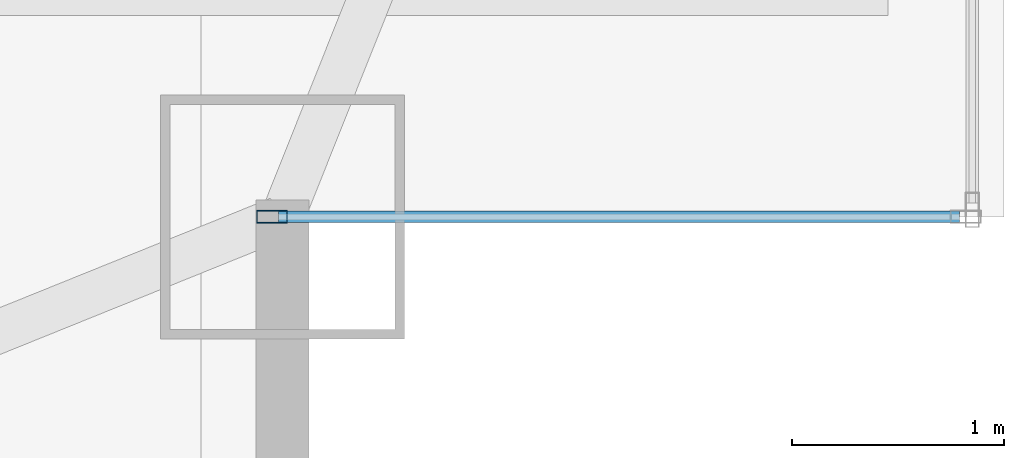
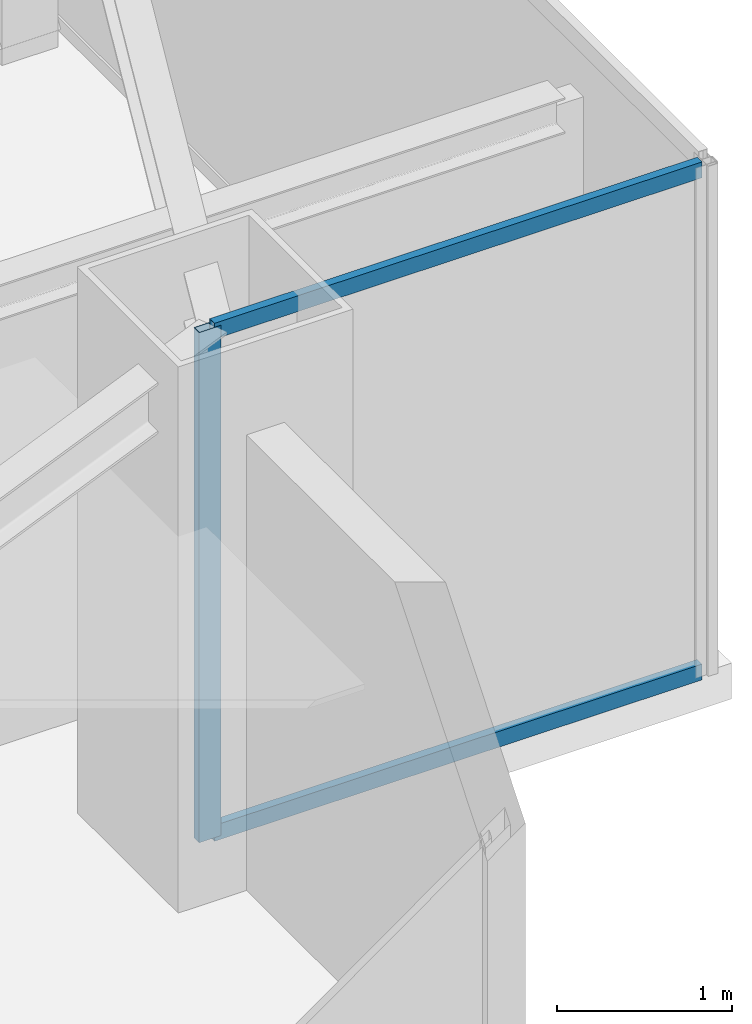
# One storey, part 15 of 31: 3 members, 1 element without a shape of its own.
"""IFC4 building model written with IfcOpenShell, lengths in metres."""

from ifc_helpers import new_model, si_unit, direction, frame, origin, origin_2d, place, context, subcontext, project, spatial, hollow_rectangle, extrude, source, transform, mapped, material, layer, layer_set, material_profile, profile_set, type_object, type_shapes, element, aggregate, save


model = new_model("IFC4")

# Units and contexts
model_context = context("Model", 3, precision=1e-05, world=origin(), true_north=direction((0.0, 1.0)))
body_context = subcontext(model_context, "Body", "Model", "MODEL_VIEW")
ifc_project = project(units=[si_unit("LENGTHUNIT", "METRE"), si_unit("AREAUNIT", "SQUARE_METRE"), si_unit("VOLUMEUNIT", "CUBIC_METRE"), si_unit("PLANEANGLEUNIT", "RADIAN"), si_unit("MASSUNIT", "GRAM", prefix="KILO")], contexts=[model_context])

# Site, building, storey
site_placement = place(None, origin())
site = spatial("IfcSite", under=ifc_project, at=site_placement, CompositionType="ELEMENT")
building_placement = place(site_placement, origin())
building = spatial("IfcBuilding", under=site, at=building_placement, Name="Varnel Quay Broadcast Tower", CompositionType="ELEMENT")
storey_placement = place(building_placement, frame((0.0, 0.0, 215.0)))
storey = spatial("IfcBuildingStorey", under=building, at=storey_placement, Name="L53", CompositionType="ELEMENT", Elevation=215.0)

# Curtain wall, members
ifc_material = material(Name="Anodised Bronze Aluminium 6063-T6", Category="aluminium")
ifc_layer = layer(ifc_material, 0.18994140625, Name="Anodised Bronze Aluminium 6063-T6")
ifc_layer_set = layer_set([ifc_layer], Name="Anodised Bronze Aluminium 6063-T6")
curtain_wall_type = type_object("IfcCurtainWallType", Name="CW_NotchCorner", PredefinedType="NOTDEFINED", material=ifc_layer_set)
curtain_wall_placement = place(storey_placement, origin())
curtain_wall = element("IfcCurtainWall", 1, at=curtain_wall_placement, inside=storey, type_object=curtain_wall_type, Name="L53 SE Notch Curtain Wall", PredefinedType="NOTDEFINED")
ifc_material_profile_1 = material_profile(ifc_material, hollow_rectangle(XDim=0.06005859375, YDim=0.14501953125, WallThickness=0.00341796875, at=origin_2d()), Name="ALU60X145X3.5")
ifc_profile_set_1 = profile_set([ifc_material_profile_1], Name="Anodised Bronze Aluminium 6063-T6")
member_type_1 = type_object("IfcMemberType", Name="Mull_CWS-04", PredefinedType="MULLION", material=ifc_profile_set_1)
shared_shape_1 = source(origin(), body_context, "Body", "SweptSolid", [
    extrude(hollow_rectangle(XDim=0.06005859375, YDim=0.14501953125, WallThickness=0.00341796875, at=origin_2d()), origin(), (0.0, 0.0, 1.0), 3.550048828125),
])
type_shapes(member_type_1, [shared_shape_1])
member_1_placement = place(storey_placement, frame((55.050048828125, 13.60009765625, 0.0), z_axis=(0.0, 0.0, 1.0), x_axis=(0.0, 1.0, 0.0)))
member_1 = element("IfcMember", 2, at=member_1_placement, type_object=member_type_1, Name="CWS-04 mullion 1", PredefinedType="MULLION", context=body_context, shape_type="MappedRepresentation", body=[
    mapped(shared_shape_1, transform((0.0, 0.0, 0.0), x_axis=(1.0, 0.0, 0.0), y_axis=(0.0, 1.0, 0.0), z_axis=(0.0, 0.0, 1.0), scale=1.0)),
])
ifc_material_profile_2 = material_profile(ifc_material, hollow_rectangle(XDim=0.054931640625, YDim=0.110107421875, WallThickness=0.0029296875, at=origin_2d()), Name="ALU55X110X3")
ifc_profile_set_2 = profile_set([ifc_material_profile_2], Name="Anodised Bronze Aluminium 6063-T6")
member_type_2 = type_object("IfcMemberType", Name="Tran_CWS-04", PredefinedType="USERDEFINED", material=ifc_profile_set_2)
shared_shape_2 = source(origin(), body_context, "Body", "SweptSolid", [
    extrude(hollow_rectangle(XDim=0.054931640625, YDim=0.110107421875, WallThickness=0.0029296875, at=origin_2d()), origin(), (0.0, 0.0, 1.0), 3.2099609375),
])
type_shapes(member_type_2, [shared_shape_2])
member_2_placement = place(storey_placement, frame((55.080078125, 13.60009765625, 0.027587890625), z_axis=(1.0, 0.0, 0.0), x_axis=(0.0, 1.0, 0.0)))
member_2 = element("IfcMember", 3, at=member_2_placement, type_object=member_type_2, Name="CWS-04 transom 1.1", ObjectType="TRANSOM", PredefinedType="USERDEFINED", context=body_context, shape_type="MappedRepresentation", body=[
    mapped(shared_shape_2, transform((0.0, 0.0, 0.0), x_axis=(1.0, 0.0, 0.0), y_axis=(0.0, 1.0, 0.0), z_axis=(0.0, 0.0, 1.0), scale=1.0)),
])
member_3_placement = place(storey_placement, frame((55.080078125, 13.60009765625, 3.5224609375), z_axis=(1.0, 0.0, 0.0), x_axis=(0.0, 1.0, 0.0)))
member_3 = element("IfcMember", 4, at=member_3_placement, type_object=member_type_2, Name="CWS-04 transom 1.2", ObjectType="TRANSOM", PredefinedType="USERDEFINED", context=body_context, shape_type="MappedRepresentation", body=[
    mapped(shared_shape_2, transform((0.0, 0.0, 0.0), x_axis=(1.0, 0.0, 0.0), y_axis=(0.0, 1.0, 0.0), z_axis=(0.0, 0.0, 1.0), scale=1.0)),
])
aggregate(curtain_wall, [member_1, member_2, member_3])

save(model, "model.ifc")
